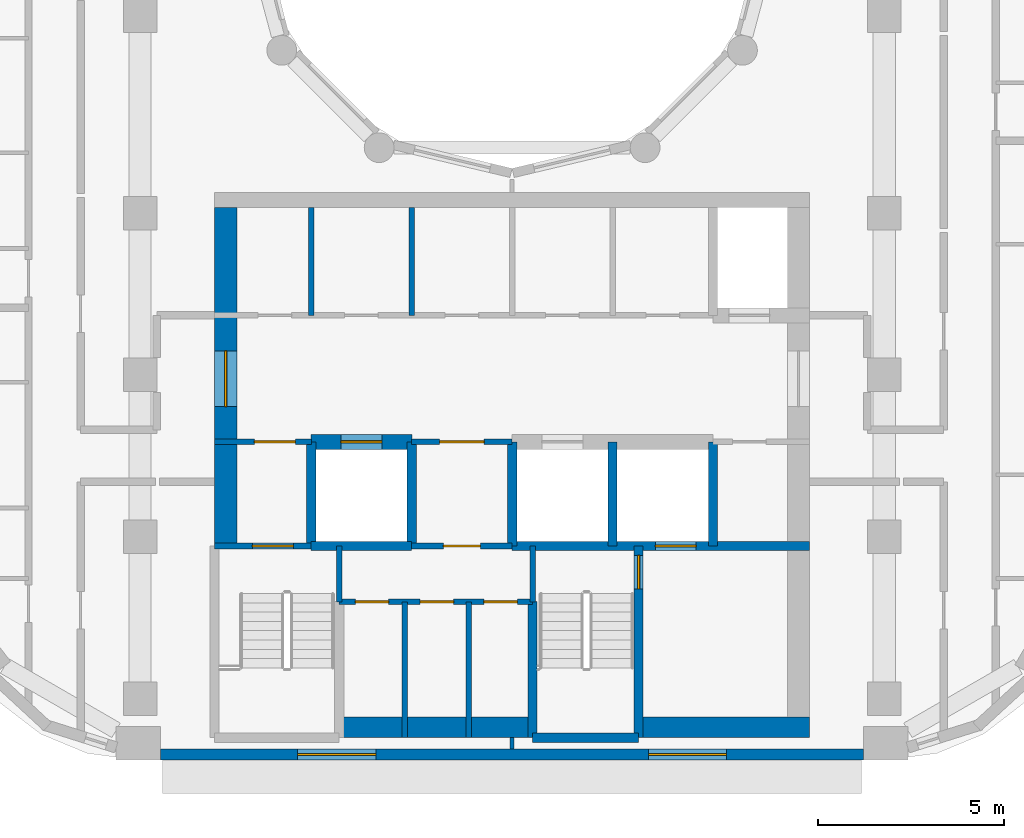
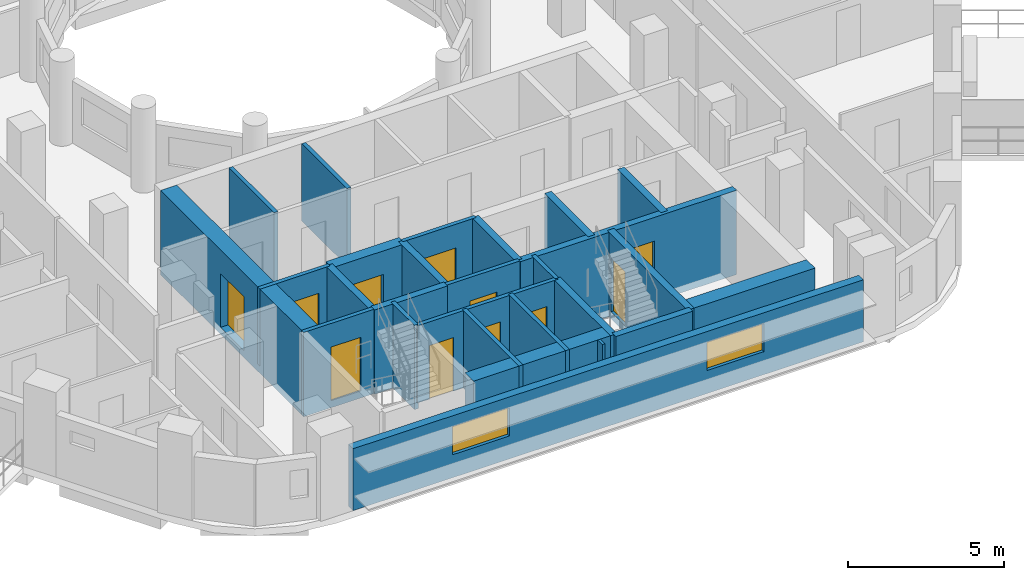
# One storey, part 3 of 17: 27 walls, 11 doors, 2 windows, 13 openings.
"""IFC4 building model written with IfcOpenShell, lengths in metres."""

from ifc_helpers import new_model, si_unit, direction, frame, frame_2d, origin, place, context, subcontext, project, spatial, rectangle, extrude, material, layer, layer_set, type_object, element, fill, save


model = new_model("IFC4")

# Units and contexts
model_context = context("Model", 3, precision=1e-05, world=origin(), true_north=direction((0.0, 1.0)))
body_context = subcontext(model_context, "Body", "Model", "MODEL_VIEW")
ifc_project = project(units=[si_unit("LENGTHUNIT", "METRE"), si_unit("AREAUNIT", "SQUARE_METRE"), si_unit("VOLUMEUNIT", "CUBIC_METRE"), si_unit("PLANEANGLEUNIT", "RADIAN"), si_unit("MASSUNIT", "GRAM", prefix="KILO")], contexts=[model_context])

# Site, building, storey
site_placement = place(None, origin())
site = spatial("IfcSite", under=ifc_project, at=site_placement, CompositionType="ELEMENT")
building_placement = place(site_placement, origin())
building = spatial("IfcBuilding", under=site, at=building_placement, Name="Nakaniwa Court", CompositionType="ELEMENT")
storey_placement = place(building_placement, frame((0.0, 0.0, 209.699951171875)))
storey = spatial("IfcBuildingStorey", under=building, at=storey_placement, Name="L55", CompositionType="ELEMENT", Elevation=209.699951171875)

# Wall, openings, windows
ifc_material_1 = material(Name="Charcoal ceramic cladding")
ifc_layer_1 = layer(ifc_material_1, 0.02, Name="Ceramic cladding")
ifc_material_2 = material(Name="Ventilated air cavity")
ifc_layer_2 = layer(ifc_material_2, 0.04, ventilated=True, Name="Ventilated cavity")
ifc_material_3 = material(Name="Mineral wool insulation")
ifc_layer_3 = layer(ifc_material_3, 0.1, Name="Insulation")
ifc_material_4 = material(Name="Cement bonded sheathing board")
ifc_layer_4 = layer(ifc_material_4, 0.012, Name="Sheathing")
ifc_material_5 = material(Name="Cold-formed galvanised stud frame with mineral wool infill")
ifc_layer_5 = layer(ifc_material_5, 0.1, Name="Stud frame")
ifc_material_6 = material(Name="Fire-rated gypsum plasterboard lining")
ifc_layer_6 = layer(ifc_material_6, 0.028, Name="Lining")
ifc_layer_set_1 = layer_set([ifc_layer_1, ifc_layer_2, ifc_layer_3, ifc_layer_4, ifc_layer_5, ifc_layer_6], Name="Charcoal ceramic faced external wall system")
wall_type_1 = type_object("IfcWallType", Name="Black ceramic faced external wall 300", PredefinedType="SOLIDWALL", material=ifc_layer_set_1)
wall_1_placement = place(storey_placement, frame((70.55078125, 57.5, 0.0), z_axis=(0.0, 0.0, 1.0), x_axis=(1.0, 0.0, 0.0)))
wall_1 = element("IfcWall", 1, at=wall_1_placement, inside=storey, type_object=wall_type_1, Name="L55 external wall 26", PredefinedType="SOLIDWALL", context=body_context, shape_type="SweptSolid", body=[
    extrude(rectangle(XDim=18.892822265625, YDim=0.300048828125, at=frame_2d((9.4462890625, 0.0))), origin(), (0.0, 0.0, 1.0), 2.425048828125),
])
opening_1_placement = place(wall_1_placement, frame((3.6865234375, 0.0, 0.89990234375)))
opening_1 = element("IfcOpeningElement", 2, at=opening_1_placement, cuts=wall_1, Name="Opening W7.26", PredefinedType="OPENING", context=body_context, shape_type="SweptSolid", body=[
    extrude(rectangle(XDim=2.10009765625, YDim=1.10009765625, at=frame_2d((1.050048828125, 0.550048828125))), frame((0.0, 0.159912109375, 0.0), z_axis=(0.0, -1.0, 0.0), x_axis=(1.0, 0.0, 0.0)), (0.0, 0.0, 1.0), 0.320068359375),
])
opening_2_placement = place(wall_1_placement, frame((13.10888671875, 0.0, 0.89990234375)))
opening_2 = element("IfcOpeningElement", 3, at=opening_2_placement, cuts=wall_1, Name="Opening W7.27", PredefinedType="OPENING", context=body_context, shape_type="SweptSolid", body=[
    extrude(rectangle(XDim=2.10009765625, YDim=1.10009765625, at=frame_2d((1.050048828125, 0.550048828125))), frame((0.0, 0.159912109375, 0.0), z_axis=(0.0, -1.0, 0.0), x_axis=(1.0, 0.0, 0.0)), (0.0, 0.0, 1.0), 0.320068359375),
])
ifc_material_7 = material(Name="Black anodised aluminium frame with dark low-E laminated double glazing", Category="aluminium")
window_type = type_object("IfcWindowType", Name="Dark glass window 2100x1100 sill 900", PartitioningType="SINGLE_PANEL", PredefinedType="WINDOW", material=ifc_material_7)
window_1_placement = place(opening_1_placement, origin())
window_1 = element("IfcWindow", 4, at=window_1_placement, inside=storey, type_object=window_type, Name="L55 habitable room window 26-0", OverallHeight=1.10009765625, OverallWidth=2.10009765625, PartitioningType="SINGLE_PANEL", PredefinedType="WINDOW", context=body_context, shape_type="SweptSolid", body=[
    extrude(rectangle(XDim=2.10009765625, YDim=1.10009765625, at=frame_2d((1.050048828125, 0.550048828125))), frame((0.0, 0.030029296875, 0.0), z_axis=(0.0, -1.0, 0.0), x_axis=(1.0, 0.0, 0.0)), (0.0, 0.0, 1.0), 0.06005859375),
])
fill(opening_1, window_1)
window_2_placement = place(opening_2_placement, origin())
window_2 = element("IfcWindow", 5, at=window_2_placement, inside=storey, type_object=window_type, Name="L55 habitable room window 26-1", OverallHeight=1.10009765625, OverallWidth=2.10009765625, PartitioningType="SINGLE_PANEL", PredefinedType="WINDOW", context=body_context, shape_type="SweptSolid", body=[
    extrude(rectangle(XDim=2.10009765625, YDim=1.10009765625, at=frame_2d((1.050048828125, 0.550048828125))), frame((0.0, 0.030029296875, 0.0), z_axis=(0.0, -1.0, 0.0), x_axis=(1.0, 0.0, 0.0)), (0.0, 0.0, 1.0), 0.06005859375),
])
fill(opening_2, window_2)

# Walls
ifc_material_8 = material(Name="Blockwork partition", Category="masonry")
ifc_layer_7 = layer(ifc_material_8, 0.14990234375)
ifc_layer_set_2 = layer_set([ifc_layer_7], Name="Blockwork partition")
wall_type_2 = type_object("IfcWallType", Name="Blockwork partition 150", PredefinedType="PARTITIONING", material=ifc_layer_set_2)
for number, where, z_axis, x_axis, name in (
    (6, (74.60009765625, 69.300048828125, 0.0), (0.0, 0.0, 1.0), (0.0, 1.0, 0.0), "Partition PW-037"),
    (7, (77.300048828125, 69.300048828125, 0.0), (0.0, 0.0, 1.0), (0.0, 1.0, 0.0), "Partition PW-044"),
):
    element("IfcWall", number, at=place(storey_placement, frame(where, z_axis=z_axis, x_axis=x_axis)), inside=storey, type_object=wall_type_2, Name=name, PredefinedType="PARTITIONING", context=body_context, shape_type="SweptSolid", body=[
        extrude(rectangle(XDim=2.89990234375, YDim=0.14990234375, at=frame_2d((1.449951171875, 0.0))), origin(), (0.0, 0.0, 1.0), 3.025146484375),
    ])

# Wall, opening, door
wall_2_placement = place(storey_placement, frame((74.60302734375, 65.89990234375, 0.0), z_axis=(0.0, 0.0, 1.0), x_axis=(-1.0, 0.0, 0.0)))
wall_2 = element("IfcWall", 8, at=wall_2_placement, inside=storey, type_object=wall_type_2, Name="Partition PW-047", PredefinedType="PARTITIONING", context=body_context, shape_type="SweptSolid", body=[
    extrude(rectangle(XDim=2.60302734375, YDim=0.14990234375, at=frame_2d((1.301513671875, 0.0))), origin(), (0.0, 0.0, 1.0), 3.025146484375),
])
opening_3_placement = place(wall_2_placement, frame((0.427978515625, 0.0, 0.0)))
opening_3 = element("IfcOpeningElement", 9, at=opening_3_placement, cuts=wall_2, Name="Opening D-08-02", PredefinedType="OPENING", context=body_context, shape_type="SweptSolid", body=[
    extrude(rectangle(XDim=1.10009765625, YDim=2.10009765625, at=frame_2d((0.550048828125, 1.050048828125))), frame((0.0, 0.0849609375, 0.0), z_axis=(0.0, -1.0, 0.0), x_axis=(1.0, 0.0, 0.0)), (0.0, 0.0, 1.0), 0.169921875),
])
ifc_material_9 = material(Name="Fire rated steel door set", Category="steel")
door_type_1 = type_object("IfcDoorType", Name="Stair lobby door 1100", OperationType="NOTDEFINED", PredefinedType="DOOR", material=ifc_material_9)
door_1_placement = place(opening_3_placement, origin())
door_1 = element("IfcDoor", 10, at=door_1_placement, inside=storey, type_object=door_type_1, Name="Door D-08-02 L55-020", OperationType="SINGLE_SWING_LEFT", OverallHeight=2.10009765625, OverallWidth=1.10009765625, PredefinedType="DOOR", context=body_context, shape_type="SweptSolid", body=[
    extrude(rectangle(XDim=1.10009765625, YDim=2.10009765625, at=frame_2d((0.550048828125, 1.050048828125))), frame((0.0, 0.02490234375, 0.0), z_axis=(0.0, -1.0, 0.0), x_axis=(1.0, 0.0, 0.0)), (0.0, 0.0, 1.0), 0.050048828125),
])
fill(opening_3, door_1)

wall_3_placement = place(storey_placement, frame((80.0029296875, 65.89990234375, 0.0), z_axis=(0.0, 0.0, 1.0), x_axis=(-1.0, 0.0, 0.0)))
wall_3 = element("IfcWall", 11, at=wall_3_placement, inside=storey, type_object=wall_type_2, Name="Partition PW-048", PredefinedType="PARTITIONING", context=body_context, shape_type="SweptSolid", body=[
    extrude(rectangle(XDim=2.705810546875, YDim=0.14990234375, at=frame_2d((1.35302734375, 0.0))), origin(), (0.0, 0.0, 1.0), 3.025146484375),
])
opening_4_placement = place(wall_3_placement, frame((0.7529296875, 0.0, 0.0)))
opening_4 = element("IfcOpeningElement", 12, at=opening_4_placement, cuts=wall_3, Name="Opening D-06-02", PredefinedType="OPENING", context=body_context, shape_type="SweptSolid", body=[
    extrude(rectangle(XDim=1.199951171875, YDim=2.10009765625, at=frame_2d((0.60009765625, 1.050048828125))), frame((0.0, 0.0849609375, 0.0), z_axis=(0.0, -1.0, 0.0), x_axis=(1.0, 0.0, 0.0)), (0.0, 0.0, 1.0), 0.169921875),
])
ifc_material_10 = material(Name="Fire rated steel double door set", Category="steel")
door_type_2 = type_object("IfcDoorType", Name="Service passage double door 1200", OperationType="NOTDEFINED", PredefinedType="DOOR", material=ifc_material_10)
door_2_placement = place(opening_4_placement, origin())
door_2 = element("IfcDoor", 13, at=door_2_placement, inside=storey, type_object=door_type_2, Name="Door D-06-02 L55-021", OperationType="DOUBLE_DOOR_SINGLE_SWING", OverallHeight=2.10009765625, OverallWidth=1.199951171875, PredefinedType="DOOR", context=body_context, shape_type="SweptSolid", body=[
    extrude(rectangle(XDim=1.199951171875, YDim=2.10009765625, at=frame_2d((0.60009765625, 1.050048828125))), frame((0.0, 0.02490234375, 0.0), z_axis=(0.0, -1.0, 0.0), x_axis=(1.0, 0.0, 0.0)), (0.0, 0.0, 1.0), 0.050048828125),
])
fill(opening_4, door_2)

wall_4_placement = place(storey_placement, frame((80.0, 63.10009765625, 0.0), z_axis=(0.0, 0.0, 1.0), x_axis=(-1.0, 0.0, 0.0)))
wall_4 = element("IfcWall", 14, at=wall_4_placement, inside=storey, type_object=wall_type_2, Name="Partition PW-058", PredefinedType="PARTITIONING", context=body_context, shape_type="SweptSolid", body=[
    extrude(rectangle(XDim=2.699951171875, YDim=0.14990234375, at=frame_2d((1.35009765625, 0.0))), origin(), (0.0, 0.0, 1.0), 3.025146484375),
])
opening_5_placement = place(wall_4_placement, frame((0.85009765625, 0.0, 0.0)))
opening_5 = element("IfcOpeningElement", 15, at=opening_5_placement, cuts=wall_4, Name="Opening D-23-02", PredefinedType="OPENING", context=body_context, shape_type="SweptSolid", body=[
    extrude(rectangle(XDim=1.0, YDim=2.10009765625, at=frame_2d((0.5, 1.050048828125))), frame((0.0, 0.0849609375, 0.0), z_axis=(0.0, -1.0, 0.0), x_axis=(1.0, 0.0, 0.0)), (0.0, 0.0, 1.0), 0.169921875),
])
door_type_3 = type_object("IfcDoorType", Name="Service room door 1000", OperationType="NOTDEFINED", PredefinedType="DOOR", material=ifc_material_9)
door_3_placement = place(opening_5_placement, origin())
door_3 = element("IfcDoor", 16, at=door_3_placement, inside=storey, type_object=door_type_3, Name="Door D-23-02 L55-023", OperationType="SINGLE_SWING_RIGHT", OverallHeight=2.10009765625, OverallWidth=1.0, PredefinedType="DOOR", context=body_context, shape_type="SweptSolid", body=[
    extrude(rectangle(XDim=1.0, YDim=2.10009765625, at=frame_2d((0.5, 1.050048828125))), frame((0.0, 0.02490234375, 0.0), z_axis=(0.0, -1.0, 0.0), x_axis=(1.0, 0.0, 0.0)), (0.0, 0.0, 1.0), 0.050048828125),
])
fill(opening_5, door_3)

# Wall, openings, doors
wall_5_placement = place(storey_placement, frame((80.550048828125, 61.60009765625, 0.0), z_axis=(0.0, 0.0, 1.0), x_axis=(-1.0, 0.0, 0.0)))
wall_5 = element("IfcWall", 17, at=wall_5_placement, inside=storey, type_object=wall_type_2, Name="Partition PW-070", PredefinedType="PARTITIONING", context=body_context, shape_type="SweptSolid", body=[
    extrude(rectangle(XDim=5.199951171875, YDim=0.14990234375, at=frame_2d((2.60009765625, 0.0))), origin(), (0.0, 0.0, 1.0), 3.025146484375),
])
opening_6_placement = place(wall_5_placement, frame((3.865966796875, 0.0, 0.0)))
opening_6 = element("IfcOpeningElement", 18, at=opening_6_placement, cuts=wall_5, Name="Opening D-05-16", PredefinedType="OPENING", context=body_context, shape_type="SweptSolid", body=[
    extrude(rectangle(XDim=0.89990234375, YDim=2.10009765625, at=frame_2d((0.449951171875, 1.050048828125))), frame((0.0, 0.0849609375, 0.0), z_axis=(0.0, -1.0, 0.0), x_axis=(1.0, 0.0, 0.0)), (0.0, 0.0, 1.0), 0.169921875),
])
opening_7_placement = place(wall_5_placement, frame((2.1240234375, 0.0, 0.0)))
opening_7 = element("IfcOpeningElement", 19, at=opening_7_placement, cuts=wall_5, Name="Opening D-05-17", PredefinedType="OPENING", context=body_context, shape_type="SweptSolid", body=[
    extrude(rectangle(XDim=0.89990234375, YDim=2.10009765625, at=frame_2d((0.449951171875, 1.050048828125))), frame((0.0, 0.0849609375, 0.0), z_axis=(0.0, -1.0, 0.0), x_axis=(1.0, 0.0, 0.0)), (0.0, 0.0, 1.0), 0.169921875),
])
opening_8_placement = place(wall_5_placement, frame((0.407958984375, 0.0, 0.0)))
opening_8 = element("IfcOpeningElement", 20, at=opening_8_placement, cuts=wall_5, Name="Opening D-05-18", PredefinedType="OPENING", context=body_context, shape_type="SweptSolid", body=[
    extrude(rectangle(XDim=0.89990234375, YDim=2.10009765625, at=frame_2d((0.449951171875, 1.050048828125))), frame((0.0, 0.0849609375, 0.0), z_axis=(0.0, -1.0, 0.0), x_axis=(1.0, 0.0, 0.0)), (0.0, 0.0, 1.0), 0.169921875),
])
door_type_4 = type_object("IfcDoorType", Name="Service room door 900", OperationType="NOTDEFINED", PredefinedType="DOOR", material=ifc_material_9)
door_4_placement = place(opening_6_placement, origin())
door_4 = element("IfcDoor", 21, at=door_4_placement, inside=storey, type_object=door_type_4, Name="Door D-05-16 L55-024", OperationType="SINGLE_SWING_LEFT", OverallHeight=2.10009765625, OverallWidth=0.89990234375, PredefinedType="DOOR", context=body_context, shape_type="SweptSolid", body=[
    extrude(rectangle(XDim=0.89990234375, YDim=2.10009765625, at=frame_2d((0.449951171875, 1.050048828125))), frame((0.0, 0.02490234375, 0.0), z_axis=(0.0, -1.0, 0.0), x_axis=(1.0, 0.0, 0.0)), (0.0, 0.0, 1.0), 0.050048828125),
])
fill(opening_6, door_4)
door_5_placement = place(opening_7_placement, origin())
door_5 = element("IfcDoor", 22, at=door_5_placement, inside=storey, type_object=door_type_4, Name="Door D-05-17 L55-025", OperationType="SINGLE_SWING_RIGHT", OverallHeight=2.10009765625, OverallWidth=0.89990234375, PredefinedType="DOOR", context=body_context, shape_type="SweptSolid", body=[
    extrude(rectangle(XDim=0.89990234375, YDim=2.10009765625, at=frame_2d((0.449951171875, 1.050048828125))), frame((0.0, 0.02490234375, 0.0), z_axis=(0.0, -1.0, 0.0), x_axis=(1.0, 0.0, 0.0)), (0.0, 0.0, 1.0), 0.050048828125),
])
fill(opening_7, door_5)
door_6_placement = place(opening_8_placement, origin())
door_6 = element("IfcDoor", 23, at=door_6_placement, inside=storey, type_object=door_type_4, Name="Door D-05-18 L55-026", OperationType="SINGLE_SWING_LEFT", OverallHeight=2.10009765625, OverallWidth=0.89990234375, PredefinedType="DOOR", context=body_context, shape_type="SweptSolid", body=[
    extrude(rectangle(XDim=0.89990234375, YDim=2.10009765625, at=frame_2d((0.449951171875, 1.050048828125))), frame((0.0, 0.02490234375, 0.0), z_axis=(0.0, -1.0, 0.0), x_axis=(1.0, 0.0, 0.0)), (0.0, 0.0, 1.0), 0.050048828125),
])
fill(opening_8, door_6)

# Walls
for number, where, z_axis, x_axis, name in (
    (24, (77.117919921875, 57.949951171875, 0.0), (0.0, 0.0, 1.0), (0.0, 1.0, 0.0), "Partition PW-071"),
    (25, (78.833984375, 57.949951171875, 0.0), (0.0, 0.0, 1.0), (0.0, 1.0, 0.0), "Partition PW-072"),
):
    element("IfcWall", number, at=place(storey_placement, frame(where, z_axis=z_axis, x_axis=x_axis)), inside=storey, type_object=wall_type_2, Name=name, PredefinedType="PARTITIONING", context=body_context, shape_type="SweptSolid", body=[
        extrude(rectangle(XDim=3.650146484375, YDim=0.14990234375, at=frame_2d((1.8251953125, 0.0))), origin(), (0.0, 0.0, 1.0), 3.025146484375),
    ])

# Wall, opening, door
ifc_material_11 = material(Name="Concrete C80/100", Category="concrete")
ifc_layer_8 = layer(ifc_material_11, 0.60009765625)
ifc_layer_set_3 = layer_set([ifc_layer_8], Name="Concrete C80/100")
wall_type_3 = type_object("IfcWallType", Name="Concrete core side wall 600 C80", PredefinedType="SHEAR", material=ifc_layer_set_3)
wall_6_placement = place(storey_placement, frame((72.300048828125, 63.10009765625, -0.27490234375), z_axis=(0.0, 0.0, 1.0), x_axis=(0.0, 1.0, 0.0)))
wall_6 = element("IfcWall", 26, at=wall_6_placement, inside=storey, type_object=wall_type_3, Name="Core wall SW-39", PredefinedType="SHEAR", context=body_context, shape_type="SweptSolid", body=[
    extrude(rectangle(XDim=9.099853515625, YDim=0.60009765625, at=frame_2d((4.5498046875, 0.0))), origin(), (0.0, 0.0, 1.0), 3.300048828125),
])
opening_9_placement = place(wall_6_placement, frame((3.748046875, 0.0, 0.27490234375)))
opening_9 = element("IfcOpeningElement", 27, at=opening_9_placement, cuts=wall_6, Name="Opening D-07-04", PredefinedType="OPENING", context=body_context, shape_type="SweptSolid", body=[
    extrude(rectangle(XDim=1.5, YDim=2.10009765625, at=frame_2d((0.75, 1.050048828125))), frame((0.0, 0.31005859375, 0.0), z_axis=(0.0, -1.0, 0.0), x_axis=(1.0, 0.0, 0.0)), (0.0, 0.0, 1.0), 0.6201171875),
])
ifc_material_12 = material(Name="Glazed fire rated steel double door set", Category="steel")
door_type_5 = type_object("IfcDoorType", Name="Lobby double door 1500", OperationType="NOTDEFINED", PredefinedType="DOOR", material=ifc_material_12)
door_7_placement = place(opening_9_placement, origin())
door_7 = element("IfcDoor", 28, at=door_7_placement, inside=storey, type_object=door_type_5, Name="Door D-07-04 L55-064", OperationType="DOUBLE_DOOR_SINGLE_SWING", OverallHeight=2.10009765625, OverallWidth=1.5, PredefinedType="DOOR", context=body_context, shape_type="SweptSolid", body=[
    extrude(rectangle(XDim=1.5, YDim=2.10009765625, at=frame_2d((0.75, 1.050048828125))), frame((0.0, 0.02490234375, 0.0), z_axis=(0.0, -1.0, 0.0), x_axis=(1.0, 0.0, 0.0)), (0.0, 0.0, 1.0), 0.050048828125),
])
fill(opening_9, door_7)

ifc_layer_9 = layer(ifc_material_11, 0.39990234375)
ifc_layer_set_4 = layer_set([ifc_layer_9], Name="Concrete C80/100")
wall_type_4 = type_object("IfcWallType", Name="Concrete core spine wall 400 C80", PredefinedType="SHEAR", material=ifc_layer_set_4)
wall_7_placement = place(storey_placement, frame((74.596923828125, 65.89990234375, -0.27490234375), z_axis=(0.0, 0.0, 1.0), x_axis=(1.0, 0.0, 0.0)))
wall_7 = element("IfcWall", 29, at=wall_7_placement, inside=storey, type_object=wall_type_4, Name="Core wall SW-50", PredefinedType="SHEAR", context=body_context, shape_type="SweptSolid", body=[
    extrude(rectangle(XDim=2.7060546875, YDim=0.39990234375, at=frame_2d((1.35302734375, 0.0))), origin(), (0.0, 0.0, 1.0), 3.300048828125),
])
opening_10_placement = place(wall_7_placement, frame((0.802978515625, 0.0, 0.27490234375)))
opening_10 = element("IfcOpeningElement", 30, at=opening_10_placement, cuts=wall_7, Name="Opening LD06", PredefinedType="OPENING", context=body_context, shape_type="SweptSolid", body=[
    extrude(rectangle(XDim=1.10009765625, YDim=2.10009765625, at=frame_2d((0.550048828125, 1.050048828125))), frame((0.0, 0.2099609375, 0.0), z_axis=(0.0, -1.0, 0.0), x_axis=(1.0, 0.0, 0.0)), (0.0, 0.0, 1.0), 0.419921875),
])
ifc_material_13 = material(Name="Stainless steel sliding lift landing door", Category="steel")
door_type_6 = type_object("IfcDoorType", Name="Lift landing door 1100", OperationType="NOTDEFINED", PredefinedType="DOOR", material=ifc_material_13)
door_8_placement = place(opening_10_placement, origin())
door_8 = element("IfcDoor", 31, at=door_8_placement, inside=storey, type_object=door_type_6, Name="Lift landing door LD06 L55-006", OperationType="SLIDING_TO_LEFT", OverallHeight=2.10009765625, OverallWidth=1.10009765625, PredefinedType="DOOR", context=body_context, shape_type="SweptSolid", body=[
    extrude(rectangle(XDim=1.10009765625, YDim=2.10009765625, at=frame_2d((0.550048828125, 1.050048828125))), frame((0.0, 0.02490234375, 0.0), z_axis=(0.0, -1.0, 0.0), x_axis=(1.0, 0.0, 0.0)), (0.0, 0.0, 1.0), 0.050048828125),
])
fill(opening_10, door_8)

ifc_layer_10 = layer(ifc_material_11, 0.14990234375)
ifc_layer_set_5 = layer_set([ifc_layer_10], Name="Concrete C80/100")
wall_type_5 = type_object("IfcWallType", Name="Concrete core wall 150 C80", PredefinedType="SHEAR", material=ifc_layer_set_5)
wall_8_placement = place(storey_placement, frame((72.0, 63.10009765625, -0.27490234375), z_axis=(0.0, 0.0, 1.0), x_axis=(1.0, 0.0, 0.0)))
wall_8 = element("IfcWall", 32, at=wall_8_placement, inside=storey, type_object=wall_type_5, Name="Core wall SW-53", PredefinedType="SHEAR", context=body_context, shape_type="SweptSolid", body=[
    extrude(rectangle(XDim=2.60009765625, YDim=0.14990234375, at=frame_2d((1.300048828125, 0.0))), origin(), (0.0, 0.0, 1.0), 3.300048828125),
])
opening_11_placement = place(wall_8_placement, frame((1.02001953125, 0.0, 0.27490234375)))
opening_11 = element("IfcOpeningElement", 33, at=opening_11_placement, cuts=wall_8, Name="Opening D-09-02", PredefinedType="OPENING", context=body_context, shape_type="SweptSolid", body=[
    extrude(rectangle(XDim=1.10009765625, YDim=2.10009765625, at=frame_2d((0.550048828125, 1.050048828125))), frame((0.0, 0.0849609375, 0.0), z_axis=(0.0, -1.0, 0.0), x_axis=(1.0, 0.0, 0.0)), (0.0, 0.0, 1.0), 0.169921875),
])
door_type_7 = type_object("IfcDoorType", Name="Stair door 1100", OperationType="NOTDEFINED", PredefinedType="DOOR", material=ifc_material_9)
door_9_placement = place(opening_11_placement, origin())
door_9 = element("IfcDoor", 34, at=door_9_placement, inside=storey, type_object=door_type_7, Name="Door D-09-02 L55-027", OperationType="SINGLE_SWING_LEFT", OverallHeight=2.10009765625, OverallWidth=1.10009765625, PredefinedType="DOOR", context=body_context, shape_type="SweptSolid", body=[
    extrude(rectangle(XDim=1.10009765625, YDim=2.10009765625, at=frame_2d((0.550048828125, 1.050048828125))), frame((0.0, 0.02490234375, 0.0), z_axis=(0.0, -1.0, 0.0), x_axis=(1.0, 0.0, 0.0)), (0.0, 0.0, 1.0), 0.050048828125),
])
fill(opening_11, door_9)

# Walls
for number, where, z_axis, x_axis, name in (
    (35, (75.35009765625, 61.596923828125, -0.27490234375), (0.0, 0.0, 1.0), (0.0, 1.0, 0.0), "Core wall SW-60"),
    (36, (80.550048828125, 61.596923828125, -0.27490234375), (0.0, 0.0, 1.0), (0.0, 1.0, 0.0), "Core wall SW-66"),
):
    element("IfcWall", number, at=place(storey_placement, frame(where, z_axis=z_axis, x_axis=x_axis)), inside=storey, type_object=wall_type_5, Name=name, PredefinedType="SHEAR", context=body_context, shape_type="SweptSolid", body=[
        extrude(rectangle(XDim=1.503173828125, YDim=0.14990234375, at=frame_2d((0.75146484375, 0.0))), origin(), (0.0, 0.0, 1.0), 3.300048828125),
    ])
ifc_layer_11 = layer(ifc_material_11, 0.25)
ifc_layer_set_6 = layer_set([ifc_layer_11], Name="Concrete C80/100")
wall_type_6 = type_object("IfcWallType", Name="Concrete core wall 250 C80", PredefinedType="SHEAR", material=ifc_layer_set_6)
wall_9_placement = place(storey_placement, frame((80.550048828125, 57.949951171875, -0.27490234375), z_axis=(0.0, 0.0, 1.0), x_axis=(1.0, 0.0, 0.0)))
element("IfcWall", 37, at=wall_9_placement, inside=storey, type_object=wall_type_6, Name="Core wall SW-64", PredefinedType="SHEAR", context=body_context, shape_type="SweptSolid", body=[
    extrude(rectangle(XDim=2.849853515625, YDim=0.25, at=frame_2d((1.4248046875, 0.0))), origin(), (0.0, 0.0, 1.0), 3.300048828125),
])
ifc_layer_12 = layer(ifc_material_11, 0.550048828125)
ifc_layer_set_7 = layer_set([ifc_layer_12], Name="Concrete C80/100")
wall_type_7 = type_object("IfcWallType", Name="Concrete core wall 550 C80", PredefinedType="SHEAR", material=ifc_layer_set_7)
wall_10_placement = place(storey_placement, frame((75.35009765625, 58.22509765625, -0.27490234375), z_axis=(0.0, 0.0, 1.0), x_axis=(1.0, 0.0, 0.0)))
element("IfcWall", 38, at=wall_10_placement, inside=storey, type_object=wall_type_7, Name="Core wall SW-68", PredefinedType="SHEAR", context=body_context, shape_type="SweptSolid", body=[
    extrude(rectangle(XDim=5.199951171875, YDim=0.550048828125, at=frame_2d((2.60009765625, 0.0))), origin(), (0.0, 0.0, 1.0), 3.300048828125),
])
wall_11_placement = place(storey_placement, frame((83.39990234375, 58.22509765625, -0.27490234375), z_axis=(0.0, 0.0, 1.0), x_axis=(1.0, 0.0, 0.0)))
element("IfcWall", 39, at=wall_11_placement, inside=storey, type_object=wall_type_7, Name="Core wall SW-69", PredefinedType="SHEAR", context=body_context, shape_type="SweptSolid", body=[
    extrude(rectangle(XDim=4.60009765625, YDim=0.550048828125, at=frame_2d((2.300048828125, 0.0))), origin(), (0.0, 0.0, 1.0), 3.300048828125),
])
ifc_layer_13 = layer(ifc_material_11, 0.25)
ifc_layer_set_8 = layer_set([ifc_layer_13], Name="Concrete C80/100")
wall_type_8 = type_object("IfcWallType", Name="Concrete shaft wall 250 C80", PredefinedType="SHEAR", material=ifc_layer_set_8)
for number, where, z_axis, x_axis, name in (
    (40, (85.39990234375, 63.10009765625, -0.27490234375), (0.0, 0.0, 1.0), (0.0, 1.0, 0.0), "Core wall SW-40"),
    (41, (74.60009765625, 63.10009765625, -0.27490234375), (0.0, 0.0, 1.0), (0.0, 1.0, 0.0), "Core wall SW-52"),
    (42, (77.300048828125, 63.10009765625, -0.27490234375), (0.0, 0.0, 1.0), (0.0, 1.0, 0.0), "Core wall SW-54"),
):
    element("IfcWall", number, at=place(storey_placement, frame(where, z_axis=z_axis, x_axis=x_axis)), inside=storey, type_object=wall_type_8, Name=name, PredefinedType="SHEAR", context=body_context, shape_type="SweptSolid", body=[
        extrude(rectangle(XDim=2.7998046875, YDim=0.25, at=frame_2d((1.39990234375, 0.0))), origin(), (0.0, 0.0, 1.0), 3.300048828125),
    ])
wall_12_placement = place(storey_placement, frame((74.60009765625, 63.10009765625, -0.27490234375), z_axis=(0.0, 0.0, 1.0), x_axis=(1.0, 0.0, 0.0)))
element("IfcWall", 43, at=wall_12_placement, inside=storey, type_object=wall_type_8, Name="Core wall SW-55", PredefinedType="SHEAR", context=body_context, shape_type="SweptSolid", body=[
    extrude(rectangle(XDim=2.699951171875, YDim=0.25, at=frame_2d((1.35009765625, 0.0))), origin(), (0.0, 0.0, 1.0), 3.300048828125),
])

# Wall, opening, door
wall_13_placement = place(storey_placement, frame((80.0, 63.10009765625, -0.27490234375), z_axis=(0.0, 0.0, 1.0), x_axis=(1.0, 0.0, 0.0)))
wall_13 = element("IfcWall", 44, at=wall_13_placement, inside=storey, type_object=wall_type_8, Name="Core wall SW-56", PredefinedType="SHEAR", context=body_context, shape_type="SweptSolid", body=[
    extrude(rectangle(XDim=8.0, YDim=0.25, at=frame_2d((4.0, 0.0))), origin(), (0.0, 0.0, 1.0), 3.300048828125),
])
opening_12_placement = place(wall_13_placement, frame((3.84912109375, 0.0, 0.27490234375)))
opening_12 = element("IfcOpeningElement", 45, at=opening_12_placement, cuts=wall_13, Name="Opening LD08", PredefinedType="OPENING", context=body_context, shape_type="SweptSolid", body=[
    extrude(rectangle(XDim=1.10009765625, YDim=2.10009765625, at=frame_2d((0.550048828125, 1.050048828125))), frame((0.0, 0.135009765625, 0.0), z_axis=(0.0, -1.0, 0.0), x_axis=(1.0, 0.0, 0.0)), (0.0, 0.0, 1.0), 0.27001953125),
])
door_10_placement = place(opening_12_placement, origin())
door_10 = element("IfcDoor", 46, at=door_10_placement, inside=storey, type_object=door_type_6, Name="Lift landing door LD08 L55-008", OperationType="SLIDING_TO_LEFT", OverallHeight=2.10009765625, OverallWidth=1.10009765625, PredefinedType="DOOR", context=body_context, shape_type="SweptSolid", body=[
    extrude(rectangle(XDim=1.10009765625, YDim=2.10009765625, at=frame_2d((0.550048828125, 1.050048828125))), frame((0.0, 0.02490234375, 0.0), z_axis=(0.0, -1.0, 0.0), x_axis=(1.0, 0.0, 0.0)), (0.0, 0.0, 1.0), 0.050048828125),
])
fill(opening_12, door_10)

# Walls
for number, where, z_axis, x_axis, name in (
    (47, (80.0, 63.10009765625, -0.27490234375), (0.0, 0.0, 1.0), (0.0, 1.0, 0.0), "Core wall SW-57"),
    (48, (82.699951171875, 63.10009765625, -0.27490234375), (0.0, 0.0, 1.0), (0.0, 1.0, 0.0), "Core wall SW-59"),
):
    element("IfcWall", number, at=place(storey_placement, frame(where, z_axis=z_axis, x_axis=x_axis)), inside=storey, type_object=wall_type_8, Name=name, PredefinedType="SHEAR", context=body_context, shape_type="SweptSolid", body=[
        extrude(rectangle(XDim=2.7998046875, YDim=0.25, at=frame_2d((1.39990234375, 0.0))), origin(), (0.0, 0.0, 1.0), 3.300048828125),
    ])

# Wall, opening, door
wall_14_placement = place(storey_placement, frame((83.39990234375, 63.10009765625, -0.27490234375), z_axis=(0.0, 0.0, 1.0), x_axis=(0.0, -1.0, 0.0)))
wall_14 = element("IfcWall", 49, at=wall_14_placement, inside=storey, type_object=wall_type_8, Name="Core wall SW-65", PredefinedType="SHEAR", context=body_context, shape_type="SweptSolid", body=[
    extrude(rectangle(XDim=5.150146484375, YDim=0.25, at=frame_2d((2.5751953125, 0.0))), origin(), (0.0, 0.0, 1.0), 3.300048828125),
])
opening_13_placement = place(wall_14_placement, frame((0.25, 0.0, 0.27490234375)))
opening_13 = element("IfcOpeningElement", 50, at=opening_13_placement, cuts=wall_14, Name="Opening D-11-02", PredefinedType="OPENING", context=body_context, shape_type="SweptSolid", body=[
    extrude(rectangle(XDim=0.89990234375, YDim=2.10009765625, at=frame_2d((0.449951171875, 1.050048828125))), frame((0.0, 0.135009765625, 0.0), z_axis=(0.0, -1.0, 0.0), x_axis=(1.0, 0.0, 0.0)), (0.0, 0.0, 1.0), 0.27001953125),
])
door_type_8 = type_object("IfcDoorType", Name="Stair door 900", OperationType="NOTDEFINED", PredefinedType="DOOR", material=ifc_material_9)
door_11_placement = place(opening_13_placement, origin())
door_11 = element("IfcDoor", 51, at=door_11_placement, inside=storey, type_object=door_type_8, Name="Door D-11-02 L55-028", OperationType="SINGLE_SWING_RIGHT", OverallHeight=2.10009765625, OverallWidth=0.89990234375, PredefinedType="DOOR", context=body_context, shape_type="SweptSolid", body=[
    extrude(rectangle(XDim=0.89990234375, YDim=2.10009765625, at=frame_2d((0.449951171875, 1.050048828125))), frame((0.0, 0.02490234375, 0.0), z_axis=(0.0, -1.0, 0.0), x_axis=(1.0, 0.0, 0.0)), (0.0, 0.0, 1.0), 0.050048828125),
])
fill(opening_13, door_11)

# Walls
wall_15_placement = place(storey_placement, frame((80.550048828125, 57.949951171875, -0.27490234375), z_axis=(0.0, 0.0, 1.0), x_axis=(0.0, 1.0, 0.0)))
element("IfcWall", 52, at=wall_15_placement, inside=storey, type_object=wall_type_8, Name="Core wall SW-67", PredefinedType="SHEAR", context=body_context, shape_type="SweptSolid", body=[
    extrude(rectangle(XDim=3.653076171875, YDim=0.25, at=frame_2d((1.82666015625, 0.0))), origin(), (0.0, 0.0, 1.0), 3.300048828125),
])
ifc_material_14 = material(Name="Single stud plasterboard partition")
ifc_layer_14 = layer(ifc_material_14, 0.10009765625)
ifc_layer_set_9 = layer_set([ifc_layer_14], Name="Single stud plasterboard partition")
wall_type_9 = type_object("IfcWallType", Name="Single stud plasterboard partition 100", PredefinedType="PARTITIONING", material=ifc_layer_set_9)
wall_16_placement = place(storey_placement, frame((80.0, 57.64990234375, 0.0), z_axis=(0.0, 0.0, 1.0), x_axis=(0.0, 1.0, 0.0)))
element("IfcWall", 53, at=wall_16_placement, inside=storey, type_object=wall_type_9, Name="Partition PW-112", PredefinedType="PARTITIONING", context=body_context, shape_type="SweptSolid", body=[
    extrude(rectangle(XDim=0.300048828125, YDim=0.10009765625, at=frame_2d((0.14990234375, 0.0))), origin(), (0.0, 0.0, 1.0), 3.025146484375),
])

save(model, "model.ifc")
